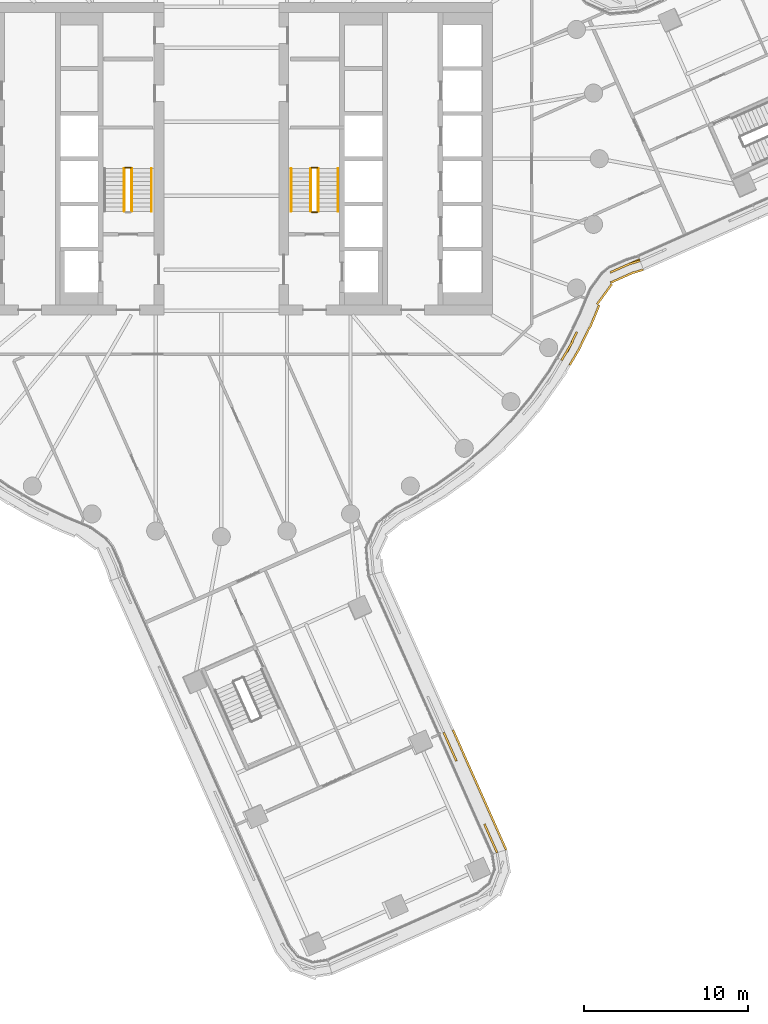
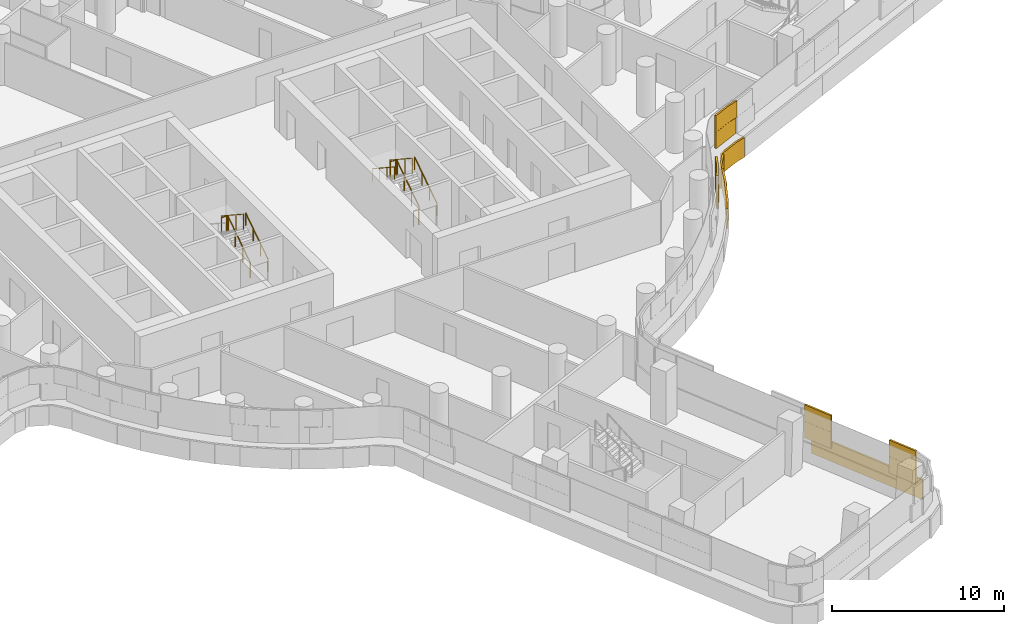
# One storey, part 31 of 35: 10 railings, 2 coverings.
"""IFC4 building model written with IfcOpenShell, lengths in metres."""

from ifc_helpers import new_model, si_unit, direction, frame, origin, origin_2d, place, context, subcontext, project, spatial, rectangle, circle, extrude, material, layer, layer_set, type_object, element, save


model = new_model("IFC4")

# Units and contexts
model_context = context("Model", 3, precision=1e-05, world=origin(), true_north=direction((0.0, 1.0)))
body_context = subcontext(model_context, "Body", "Model", "MODEL_VIEW")
ifc_project = project(units=[si_unit("LENGTHUNIT", "METRE"), si_unit("AREAUNIT", "SQUARE_METRE"), si_unit("VOLUMEUNIT", "CUBIC_METRE"), si_unit("PLANEANGLEUNIT", "RADIAN"), si_unit("MASSUNIT", "GRAM", prefix="KILO")], contexts=[model_context])

# Site, building, storey
site_placement = place(None, origin())
site = spatial("IfcSite", under=ifc_project, at=site_placement, CompositionType="ELEMENT")
building_placement = place(site_placement, origin())
building = spatial("IfcBuilding", under=site, at=building_placement, Name="Tamarind Cross Interchange Tower", CompositionType="ELEMENT")
storey_placement = place(building_placement, frame((0.0, 0.0, 121.0)))
storey = spatial("IfcBuildingStorey", under=building, at=storey_placement, Name="L29", CompositionType="ELEMENT", Elevation=121.0)

# Railings
ifc_material_1 = material(Name="Stair guard")
railing_type_1 = type_object("IfcRailingType", Name="Stair guard", PredefinedType="GUARDRAIL", material=ifc_material_1)
railing_1_placement = place(storey_placement, frame((-5.449951171875, -3.199951171875, 0.17041015625)))
element("IfcRailing", 1, at=railing_1_placement, inside=storey, type_object=railing_type_1, Name="L29 ST1 stair guard 1", PredefinedType="GUARDRAIL", context=body_context, shape_type="SweptSolid", body=[
    extrude(circle(Radius=0.02392578125, at=origin_2d()), frame((0.0, 0.0, 1.076171875), z_axis=(0.0, 0.836278606002, 0.548304744775), x_axis=(-1.0, 0.0, 0.0)), (0.0, 0.0, 1.0), 3.10888671875),
    extrude(circle(Radius=0.02099609375, at=origin_2d()), origin(), (0.0, 0.0, 1.0), 1.052001953125),
    extrude(circle(Radius=0.02099609375, at=origin_2d()), frame((0.0, 0.86669921875, 0.568115234375)), (0.0, 0.0, 1.0), 1.052001953125),
    extrude(circle(Radius=0.02099609375, at=origin_2d()), frame((0.0, 1.733154296875, 1.136474609375)), (0.0, 0.0, 1.0), 1.052001953125),
    extrude(circle(Radius=0.02099609375, at=origin_2d()), frame((0.0, 2.599853515625, 1.70458984375)), (0.0, 0.0, 1.0), 1.052001953125),
])
railing_2_placement = place(storey_placement, frame((-5.5, -0.550048828125, 1.875)))
element("IfcRailing", 2, at=railing_2_placement, inside=storey, type_object=railing_type_1, Name="L29 ST1 stair guard 2", PredefinedType="GUARDRAIL", context=body_context, shape_type="SweptSolid", body=[
    extrude(circle(Radius=0.02392578125, at=origin_2d()), frame((0.0, 0.0, 1.076171875), z_axis=(-1.0, 0.0, 0.0), x_axis=(0.0, -1.0, 0.0)), (0.0, 0.0, 1.0), 0.35009765625),
    extrude(circle(Radius=0.02099609375, at=origin_2d()), origin(), (0.0, 0.0, 1.0), 1.052001953125),
    extrude(circle(Radius=0.02099609375, at=origin_2d()), frame((-0.35009765625, 0.0, 0.0)), (0.0, 0.0, 1.0), 1.052001953125),
])
railing_3_placement = place(storey_placement, frame((-5.89990234375, -0.60009765625, 2.04541015625)))
element("IfcRailing", 3, at=railing_3_placement, inside=storey, type_object=railing_type_1, Name="L29 ST1 stair guard 3", PredefinedType="GUARDRAIL", context=body_context, shape_type="SweptSolid", body=[
    extrude(circle(Radius=0.02392578125, at=origin_2d()), frame((0.0, 0.0, 1.076171875), z_axis=(0.0, -0.836278606002, 0.548304744775), x_axis=(1.0, 0.0, 0.0)), (0.0, 0.0, 1.0), 3.10888671875),
    extrude(circle(Radius=0.02099609375, at=origin_2d()), origin(), (0.0, 0.0, 1.0), 1.052001953125),
    extrude(circle(Radius=0.02099609375, at=origin_2d()), frame((0.0, -0.86669921875, 0.568115234375)), (0.0, 0.0, 1.0), 1.052001953125),
    extrude(circle(Radius=0.02099609375, at=origin_2d()), frame((0.0, -1.733154296875, 1.136474609375)), (0.0, 0.0, 1.0), 1.052001953125),
    extrude(circle(Radius=0.02099609375, at=origin_2d()), frame((0.0, -2.599853515625, 1.70458984375)), (0.0, 0.0, 1.0), 1.052001953125),
])
railing_4_placement = place(storey_placement, frame((5.89990234375, -3.199951171875, 0.17041015625)))
element("IfcRailing", 4, at=railing_4_placement, inside=storey, type_object=railing_type_1, Name="L29 ST2 stair guard 1", PredefinedType="GUARDRAIL", context=body_context, shape_type="SweptSolid", body=[
    extrude(circle(Radius=0.02392578125, at=origin_2d()), frame((0.0, 0.0, 1.076171875), z_axis=(0.0, 0.836278606002, 0.548304744775), x_axis=(-1.0, 0.0, 0.0)), (0.0, 0.0, 1.0), 3.10888671875),
    extrude(circle(Radius=0.02099609375, at=origin_2d()), origin(), (0.0, 0.0, 1.0), 1.052001953125),
    extrude(circle(Radius=0.02099609375, at=origin_2d()), frame((0.0, 0.86669921875, 0.568115234375)), (0.0, 0.0, 1.0), 1.052001953125),
    extrude(circle(Radius=0.02099609375, at=origin_2d()), frame((0.0, 1.733154296875, 1.136474609375)), (0.0, 0.0, 1.0), 1.052001953125),
    extrude(circle(Radius=0.02099609375, at=origin_2d()), frame((0.0, 2.599853515625, 1.70458984375)), (0.0, 0.0, 1.0), 1.052001953125),
])
railing_5_placement = place(storey_placement, frame((5.85009765625, -0.550048828125, 1.875)))
element("IfcRailing", 5, at=railing_5_placement, inside=storey, type_object=railing_type_1, Name="L29 ST2 stair guard 2", PredefinedType="GUARDRAIL", context=body_context, shape_type="SweptSolid", body=[
    extrude(circle(Radius=0.02392578125, at=origin_2d()), frame((0.0, 0.0, 1.076171875), z_axis=(-1.0, 0.0, 0.0), x_axis=(0.0, -1.0, 0.0)), (0.0, 0.0, 1.0), 0.35009765625),
    extrude(circle(Radius=0.02099609375, at=origin_2d()), origin(), (0.0, 0.0, 1.0), 1.052001953125),
    extrude(circle(Radius=0.02099609375, at=origin_2d()), frame((-0.35009765625, 0.0, 0.0)), (0.0, 0.0, 1.0), 1.052001953125),
])
railing_6_placement = place(storey_placement, frame((5.449951171875, -0.60009765625, 2.04541015625)))
element("IfcRailing", 6, at=railing_6_placement, inside=storey, type_object=railing_type_1, Name="L29 ST2 stair guard 3", PredefinedType="GUARDRAIL", context=body_context, shape_type="SweptSolid", body=[
    extrude(circle(Radius=0.02392578125, at=origin_2d()), frame((0.0, 0.0, 1.076171875), z_axis=(0.0, -0.836278606002, 0.548304744775), x_axis=(1.0, 0.0, 0.0)), (0.0, 0.0, 1.0), 3.10888671875),
    extrude(circle(Radius=0.02099609375, at=origin_2d()), origin(), (0.0, 0.0, 1.0), 1.052001953125),
    extrude(circle(Radius=0.02099609375, at=origin_2d()), frame((0.0, -0.86669921875, 0.568115234375)), (0.0, 0.0, 1.0), 1.052001953125),
    extrude(circle(Radius=0.02099609375, at=origin_2d()), frame((0.0, -1.733154296875, 1.136474609375)), (0.0, 0.0, 1.0), 1.052001953125),
    extrude(circle(Radius=0.02099609375, at=origin_2d()), frame((0.0, -2.599853515625, 1.70458984375)), (0.0, 0.0, 1.0), 1.052001953125),
])
railing_7_placement = place(storey_placement, frame((5.85009765625, -3.25, 0.0)))
element("IfcRailing", 7, at=railing_7_placement, inside=storey, type_object=railing_type_1, Name="L29 ST2 stair guard 4", PredefinedType="GUARDRAIL", context=body_context, shape_type="SweptSolid", body=[
    extrude(circle(Radius=0.02392578125, at=origin_2d()), frame((0.0, 0.0, 1.076171875), z_axis=(-1.0, 0.0, 0.0), x_axis=(0.0, -1.0, 0.0)), (0.0, 0.0, 1.0), 0.35009765625),
    extrude(circle(Radius=0.02099609375, at=origin_2d()), origin(), (0.0, 0.0, 1.0), 1.052001953125),
    extrude(circle(Radius=0.02099609375, at=origin_2d()), frame((-0.35009765625, 0.0, 0.0)), (0.0, 0.0, 1.0), 1.052001953125),
])
ifc_material_2 = material(Name="Stair handrail")
railing_type_2 = type_object("IfcRailingType", Name="Stair handrail", PredefinedType="HANDRAIL", material=ifc_material_2)
for number, where, name in (
    (8, (-4.25, -3.199951171875, 0.17041015625), "L29 ST1 stair handrail 1"),
    (9, (7.10009765625, -3.199951171875, 0.17041015625), "L29 ST2 stair handrail 1"),
):
    element("IfcRailing", number, at=place(storey_placement, frame(where)), inside=storey, type_object=railing_type_2, Name=name, PredefinedType="HANDRAIL", context=body_context, shape_type="SweptSolid", body=[
        extrude(circle(Radius=0.02392578125, at=origin_2d()), frame((0.0, 0.0, 0.8759765625), z_axis=(0.0, 0.836278606002, 0.548304744775), x_axis=(-1.0, 0.0, 0.0)), (0.0, 0.0, 1.0), 3.10888671875),
        extrude(circle(Radius=0.02099609375, at=origin_2d()), origin(), (0.0, 0.0, 1.0), 0.851806640625),
        extrude(circle(Radius=0.02099609375, at=origin_2d()), frame((0.0, 0.86669921875, 0.568115234375)), (0.0, 0.0, 1.0), 0.851806640625),
        extrude(circle(Radius=0.02099609375, at=origin_2d()), frame((0.0, 1.733154296875, 1.136474609375)), (0.0, 0.0, 1.0), 0.851806640625),
        extrude(circle(Radius=0.02099609375, at=origin_2d()), frame((0.0, 2.599853515625, 1.70458984375)), (0.0, 0.0, 1.0), 0.851806640625),
    ])
railing_8_placement = place(storey_placement, frame((4.25, -0.60009765625, 2.04541015625)))
element("IfcRailing", 10, at=railing_8_placement, inside=storey, type_object=railing_type_2, Name="L29 ST2 stair handrail 2", PredefinedType="HANDRAIL", context=body_context, shape_type="SweptSolid", body=[
    extrude(circle(Radius=0.02392578125, at=origin_2d()), frame((0.0, 0.0, 0.8759765625), z_axis=(0.0, -0.836278606002, 0.548304744775), x_axis=(1.0, 0.0, 0.0)), (0.0, 0.0, 1.0), 3.10888671875),
    extrude(circle(Radius=0.02099609375, at=origin_2d()), origin(), (0.0, 0.0, 1.0), 0.851806640625),
    extrude(circle(Radius=0.02099609375, at=origin_2d()), frame((0.0, -0.86669921875, 0.568115234375)), (0.0, 0.0, 1.0), 0.851806640625),
    extrude(circle(Radius=0.02099609375, at=origin_2d()), frame((0.0, -1.733154296875, 1.136474609375)), (0.0, 0.0, 1.0), 0.851806640625),
    extrude(circle(Radius=0.02099609375, at=origin_2d()), frame((0.0, -2.599853515625, 1.70458984375)), (0.0, 0.0, 1.0), 0.851806640625),
])

# Coverings
ifc_material_3 = material(Name="Terracotta", Category="masonry")
ifc_layer = layer(ifc_material_3, 0.1201171875)
ifc_layer_set = layer_set([ifc_layer], Name="Terracotta")
covering_type = type_object("IfcCoveringType", Name="Terracotta baguette screen unit", PredefinedType="MOLDING", material=ifc_layer_set)
covering_1_placement = place(storey_placement, origin())
element("IfcCovering", 11, at=covering_1_placement, inside=storey, type_object=covering_type, Name="SCR-L29-05-00", PredefinedType="MOLDING", context=body_context, shape_type="SweptSolid", body=[
    extrude(rectangle(XDim=0.760009765625, YDim=0.1201171875, at=origin_2d()), frame((16.62744140625, -41.88037109375, 1.404052734375), z_axis=(0.0, 0.0, 1.0), x_axis=(-0.40562364305, 0.914040185221, 0.0)), (0.0, 0.0, 1.0), 1.1669921875),
    extrude(rectangle(XDim=1.155029296875, YDim=0.1201171875, at=origin_2d()), frame((16.2431640625, -41.014404296875, 1.404052734375), z_axis=(0.0, 0.0, 1.0), x_axis=(-0.40562364305, 0.914040185221, 0.0)), (0.0, 0.0, 1.0), 1.1669921875),
    extrude(rectangle(XDim=0.6650390625, YDim=0.1201171875, at=origin_2d()), frame((14.174560546875, -36.352783203125, 1.404052734375), z_axis=(0.0, 0.0, 1.0), x_axis=(-0.40562364305, 0.914040185221, 0.0)), (0.0, 0.0, 1.0), 1.1669921875),
    extrude(rectangle(XDim=1.25, YDim=0.1201171875, at=origin_2d()), frame((13.7900390625, -35.486572265625, 1.404052734375), z_axis=(0.0, 0.0, 1.0), x_axis=(-0.40562364305, 0.914040185221, 0.0)), (0.0, 0.0, 1.0), 1.1669921875),
    extrude(rectangle(XDim=1.510009765625, YDim=0.1201171875, at=origin_2d()), frame((16.475341796875, -41.53759765625, 2.5791015625), z_axis=(0.0, 0.0, 1.0), x_axis=(-0.40562364305, 0.914040185221, 0.0)), (0.0, 0.0, 1.0), 1.1669921875),
    extrude(rectangle(XDim=0.405029296875, YDim=0.1201171875, at=origin_2d()), frame((16.091064453125, -40.671630859375, 2.5791015625), z_axis=(0.0, 0.0, 1.0), x_axis=(-0.40562364305, 0.914040185221, 0.0)), (0.0, 0.0, 1.0), 1.1669921875),
    extrude(rectangle(XDim=1.4150390625, YDim=0.1201171875, at=origin_2d()), frame((14.0224609375, -36.010009765625, 2.5791015625), z_axis=(0.0, 0.0, 1.0), x_axis=(-0.40562364305, 0.914040185221, 0.0)), (0.0, 0.0, 1.0), 1.1669921875),
    extrude(rectangle(XDim=0.5, YDim=0.1201171875, at=origin_2d()), frame((13.637939453125, -35.143798828125, 2.5791015625), z_axis=(0.0, 0.0, 1.0), x_axis=(-0.40562364305, 0.914040185221, 0.0)), (0.0, 0.0, 1.0), 1.1669921875),
    extrude(rectangle(XDim=0.760009765625, YDim=0.1201171875, at=origin_2d()), frame((17.1806640625, -41.711669921875, 0.00390625), z_axis=(0.0, 0.0, 1.0), x_axis=(-0.40562364305, 0.914040185221, 0.0)), (0.0, 0.0, 1.0), 1.39208984375),
    extrude(rectangle(XDim=1.52001953125, YDim=0.1201171875, at=origin_2d()), frame((16.726318359375, -40.68798828125, 0.00390625), z_axis=(0.0, 0.0, 1.0), x_axis=(-0.40562364305, 0.914040185221, 0.0)), (0.0, 0.0, 1.0), 1.39208984375),
    extrude(rectangle(XDim=1.52001953125, YDim=0.1201171875, at=origin_2d()), frame((16.117919921875, -39.31689453125, 0.00390625), z_axis=(0.0, 0.0, 1.0), x_axis=(-0.40562364305, 0.914040185221, 0.0)), (0.0, 0.0, 1.0), 1.39208984375),
    extrude(rectangle(XDim=1.52001953125, YDim=0.1201171875, at=origin_2d()), frame((15.50927734375, -37.94580078125, 0.00390625), z_axis=(0.0, 0.0, 1.0), x_axis=(-0.40562364305, 0.914040185221, 0.0)), (0.0, 0.0, 1.0), 1.39208984375),
    extrude(rectangle(XDim=1.52001953125, YDim=0.1201171875, at=origin_2d()), frame((14.90087890625, -36.57470703125, 0.00390625), z_axis=(0.0, 0.0, 1.0), x_axis=(-0.40562364305, 0.914040185221, 0.0)), (0.0, 0.0, 1.0), 1.39208984375),
    extrude(rectangle(XDim=1.240966796875, YDim=0.1201171875, at=origin_2d()), frame((14.34912109375, -35.3310546875, 0.00390625), z_axis=(0.0, 0.0, 1.0), x_axis=(-0.40562364305, 0.914040185221, 0.0)), (0.0, 0.0, 1.0), 1.39208984375),
])
covering_2_placement = place(storey_placement, origin())
element("IfcCovering", 12, at=covering_2_placement, inside=storey, type_object=covering_type, Name="SCR-L29-06-01", PredefinedType="MOLDING", context=body_context, shape_type="SweptSolid", body=[
    extrude(rectangle(XDim=0.607666015625, YDim=0.1201171875, at=origin_2d()), frame((20.857421875, -12.00732421875, 1.404052734375), z_axis=(0.0, 0.0, 1.0), x_axis=(0.508183308752, 0.861248933065, 0.0)), (0.0, 0.0, 1.0), 1.1669921875),
    extrude(rectangle(XDim=1.363037109375, YDim=0.1201171875, at=origin_2d()), frame((21.335693359375, -11.158203125, 1.404052734375), z_axis=(0.0, 0.0, 1.0), x_axis=(0.435326231914, 0.900272776334, 0.0)), (0.0, 0.0, 1.0), 1.1669921875),
    extrude(rectangle(XDim=0.45703125, YDim=0.1201171875, at=origin_2d()), frame((23.875, -6.830322265625, 1.404052734375), z_axis=(0.0, 0.0, 1.0), x_axis=(0.913943603125, 0.405841213169, 0.0)), (0.0, 0.0, 1.0), 1.1669921875),
    extrude(rectangle(XDim=1.52001953125, YDim=0.1201171875, at=origin_2d()), frame((24.7646484375, -6.43505859375, 1.404052734375), z_axis=(0.0, 0.0, 1.0), x_axis=(0.913943603125, 0.405841213169, 0.0)), (0.0, 0.0, 1.0), 1.1669921875),
    extrude(rectangle(XDim=1.357666015625, YDim=0.1201171875, at=origin_2d()), frame((21.048095703125, -11.684326171875, 2.5791015625), z_axis=(0.0, 0.0, 1.0), x_axis=(0.508183308752, 0.861248933065, 0.0)), (0.0, 0.0, 1.0), 1.1669921875),
    extrude(rectangle(XDim=0.613037109375, YDim=0.1201171875, at=origin_2d()), frame((21.4990234375, -10.820556640625, 2.5791015625), z_axis=(0.0, 0.0, 1.0), x_axis=(0.435326231914, 0.900272776334, 0.0)), (0.0, 0.0, 1.0), 1.1669921875),
    extrude(rectangle(XDim=1.20703125, YDim=0.1201171875, at=origin_2d()), frame((24.2177734375, -6.677978515625, 2.5791015625), z_axis=(0.0, 0.0, 1.0), x_axis=(0.913943603125, 0.405841213169, 0.0)), (0.0, 0.0, 1.0), 1.1669921875),
    extrude(rectangle(XDim=0.763427734375, YDim=0.1201171875, at=origin_2d()), frame((25.12353515625, -6.320556640625, 2.5791015625), z_axis=(0.0, 0.0, 1.0), x_axis=(0.955629008287, 0.294572908666, 0.0)), (0.0, 0.0, 1.0), 1.1669921875),
    extrude(rectangle(XDim=1.071533203125, YDim=0.1201171875, at=origin_2d()), frame((21.471923828125, -12.095703125, 0.00390625), z_axis=(0.0, 0.0, 1.0), x_axis=(0.508183308752, 0.861248933065, 0.0)), (0.0, 0.0, 1.0), 1.39208984375),
    extrude(rectangle(XDim=1.52001953125, YDim=0.1201171875, at=origin_2d()), frame((22.0654296875, -10.9677734375, 0.00390625), z_axis=(0.0, 0.0, 1.0), x_axis=(0.435326231914, 0.900272776334, 0.0)), (0.0, 0.0, 1.0), 1.39208984375),
    extrude(rectangle(XDim=1.52001953125, YDim=0.1201171875, at=origin_2d()), frame((22.706787109375, -9.612060546875, 0.00390625), z_axis=(0.0, 0.0, 1.0), x_axis=(0.382773210642, 0.923842340021, 0.0)), (0.0, 0.0, 1.0), 1.39208984375),
    extrude(rectangle(XDim=1.52001953125, YDim=0.1201171875, at=origin_2d()), frame((23.315673828125, -8.245849609375, 0.00390625), z_axis=(0.0, 0.0, 1.0), x_axis=(0.591017439834, 0.806658779046, 0.0)), (0.0, 0.0, 1.0), 1.39208984375),
    extrude(rectangle(XDim=1.52001953125, YDim=0.1201171875, at=origin_2d()), frame((24.377197265625, -7.2353515625, 0.00390625), z_axis=(0.0, 0.0, 1.0), x_axis=(0.913943603125, 0.405841213169, 0.0)), (0.0, 0.0, 1.0), 1.39208984375),
    extrude(rectangle(XDim=0.65869140625, YDim=0.1201171875, at=origin_2d()), frame((25.370849609375, -6.844970703125, 0.00390625), z_axis=(0.0, 0.0, 1.0), x_axis=(0.955629008287, 0.294572908666, 0.0)), (0.0, 0.0, 1.0), 1.39208984375),
])

save(model, "model.ifc")
